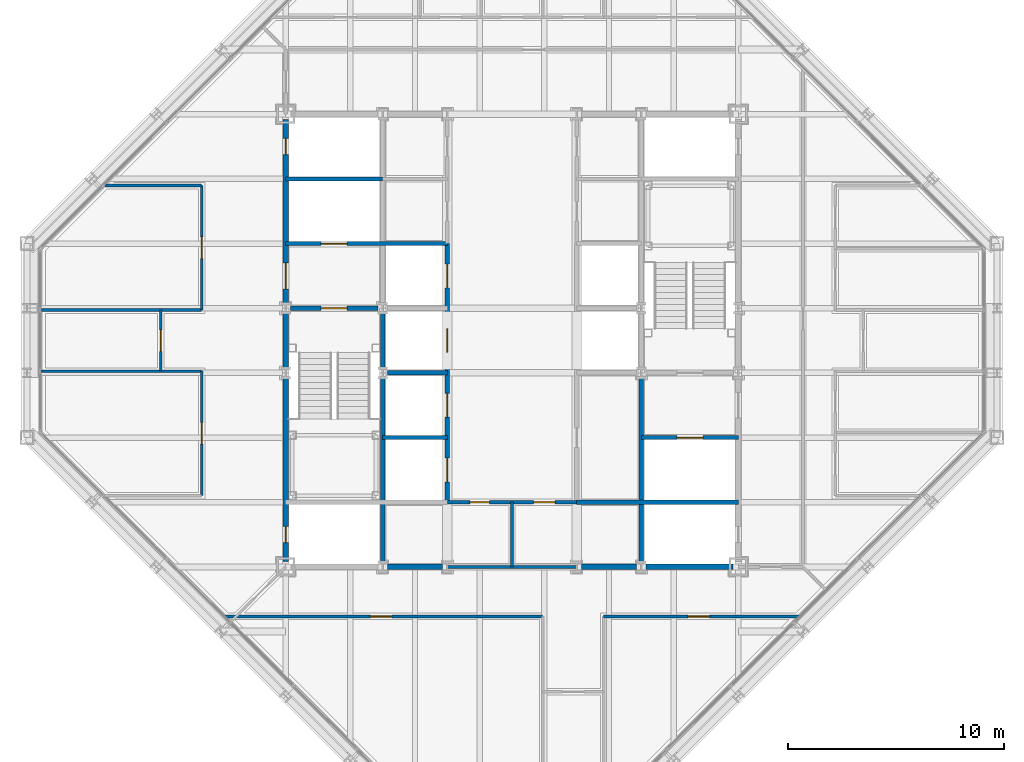
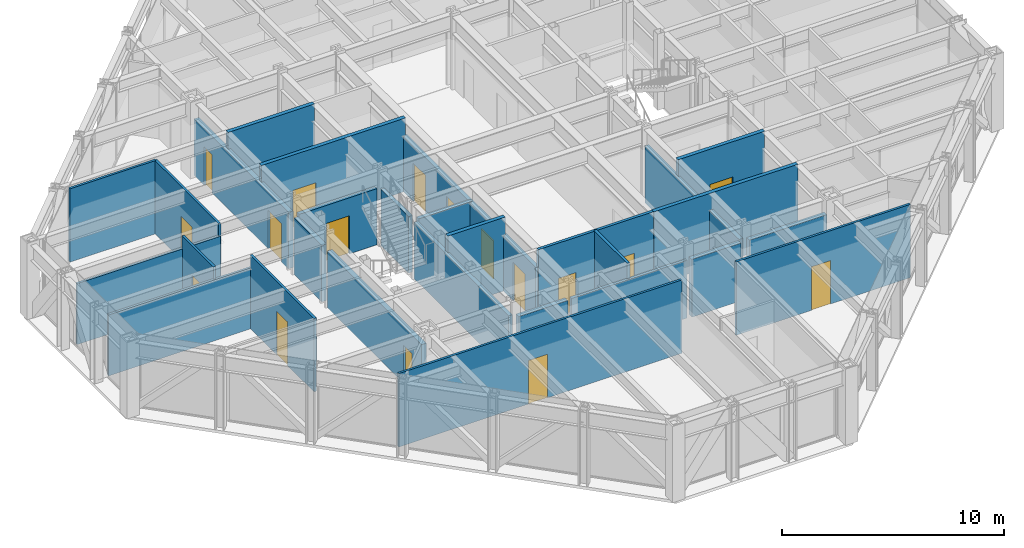
# One storey, part 10 of 15: 28 walls, 17 doors, 17 openings.
"""IFC4 building model written with IfcOpenShell, lengths in metres."""

from ifc_helpers import new_model, si_unit, direction, frame, frame_2d, origin, place, context, subcontext, project, spatial, rectangle, extrude, material, layer, layer_set, type_object, element, fill, save


model = new_model("IFC4")

# Units and contexts
model_context = context("Model", 3, precision=1e-05, world=origin(), true_north=direction((0.0, 1.0)))
body_context = subcontext(model_context, "Body", "Model", "MODEL_VIEW")
ifc_project = project(units=[si_unit("LENGTHUNIT", "METRE"), si_unit("AREAUNIT", "SQUARE_METRE"), si_unit("VOLUMEUNIT", "CUBIC_METRE"), si_unit("PLANEANGLEUNIT", "RADIAN"), si_unit("MASSUNIT", "GRAM", prefix="KILO")], contexts=[model_context])

# Site, building, storey
site_placement = place(None, origin())
site = spatial("IfcSite", under=ifc_project, at=site_placement, CompositionType="ELEMENT")
building_placement = place(site_placement, origin())
building = spatial("IfcBuilding", under=site, at=building_placement, Name="Chuquiago Exchange Tower", CompositionType="ELEMENT")
storey_placement = place(building_placement, frame((0.0, 0.0, 279.0)))
storey = spatial("IfcBuildingStorey", under=building, at=storey_placement, Name="L62", CompositionType="ELEMENT", Elevation=279.0)

# Wall, opening, door
ifc_material_1 = material(Name="Concrete masonry, fully grouted", Category="masonry")
ifc_layer_1 = layer(ifc_material_1, 0.25)
ifc_layer_set_1 = layer_set([ifc_layer_1], Name="W1 core wall 250")
wall_type_1 = type_object("IfcWallType", Name="W1 core wall 250", PredefinedType="SOLIDWALL", material=ifc_layer_set_1)
wall_1_placement = place(storey_placement, frame((12.0, 12.25, 0.0), z_axis=(0.0, 0.0, 1.0), x_axis=(0.0, 1.0, 0.0)))
wall_1 = element("IfcWall", 1, at=wall_1_placement, inside=storey, type_object=wall_type_1, Name="CW-L62-00-0", PredefinedType="SOLIDWALL", context=body_context, shape_type="SweptSolid", body=[
    extrude(rectangle(XDim=8.5, YDim=0.25, at=frame_2d((4.25, 0.0))), origin(), (0.0, 0.0, 1.0), 3.11279296875),
])
opening_1_placement = place(wall_1_placement, frame((0.875, 0.0, 0.0)))
opening_1 = element("IfcOpeningElement", 2, at=opening_1_placement, cuts=wall_1, Name="Opening L62-007", PredefinedType="OPENING", context=body_context, shape_type="SweptSolid", body=[
    extrude(rectangle(XDim=0.75, YDim=2.10009765625, at=frame_2d((0.375, 1.050048828125))), frame((0.0, 0.135009765625, 0.0), z_axis=(0.0, -1.0, 0.0), x_axis=(1.0, 0.0, 0.0)), (0.0, 0.0, 1.0), 0.27001953125),
])
ifc_material_2 = material(Name="Steel door, painted", Category="steel")
door_type_1 = type_object("IfcDoorType", Name="D6 riser access door 750x2100", OperationType="SINGLE_SWING_LEFT", PredefinedType="DOOR", material=ifc_material_2)
door_1_placement = place(opening_1_placement, origin())
door_1 = element("IfcDoor", 3, at=door_1_placement, inside=storey, type_object=door_type_1, Name="Riser RW1 door", OperationType="SINGLE_SWING_LEFT", OverallHeight=2.10009765625, OverallWidth=0.75, PredefinedType="DOOR", context=body_context, shape_type="SweptSolid", body=[
    extrude(rectangle(XDim=0.75, YDim=2.10009765625, at=frame_2d((0.375, 1.050048828125))), frame((0.0, 0.02490234375, 0.0), z_axis=(0.0, -1.0, 0.0), x_axis=(1.0, 0.0, 0.0)), (0.0, 0.0, 1.0), 0.050048828125),
])
fill(opening_1, door_1)

# Wall
wall_2_placement = place(storey_placement, frame((12.0, 21.25, 0.0), z_axis=(0.0, 0.0, 1.0), x_axis=(0.0, 1.0, 0.0)))
element("IfcWall", 4, at=wall_2_placement, inside=storey, type_object=wall_type_1, Name="CW-L62-00-1", PredefinedType="SOLIDWALL", context=body_context, shape_type="SweptSolid", body=[
    extrude(rectangle(XDim=2.5, YDim=0.25, at=frame_2d((1.25, 0.0))), origin(), (0.0, 0.0, 1.0), 3.11279296875),
])

# Wall, openings, doors
wall_3_placement = place(storey_placement, frame((12.0, 24.25, 0.0), z_axis=(0.0, 0.0, 1.0), x_axis=(0.0, 1.0, 0.0)))
wall_3 = element("IfcWall", 5, at=wall_3_placement, inside=storey, type_object=wall_type_1, Name="CW-L62-00-2", PredefinedType="SOLIDWALL", context=body_context, shape_type="SweptSolid", body=[
    extrude(rectangle(XDim=8.5, YDim=0.25, at=frame_2d((4.25, 0.0))), origin(), (0.0, 0.0, 1.0), 3.11279296875),
])
opening_2_placement = place(wall_3_placement, frame((0.64990234375, 0.0, 0.0)))
opening_2 = element("IfcOpeningElement", 6, at=opening_2_placement, cuts=wall_3, Name="Opening L62-002", PredefinedType="OPENING", context=body_context, shape_type="SweptSolid", body=[
    extrude(rectangle(XDim=1.199951171875, YDim=2.10009765625, at=frame_2d((0.60009765625, 1.050048828125))), frame((0.0, 0.135009765625, 0.0), z_axis=(0.0, -1.0, 0.0), x_axis=(1.0, 0.0, 0.0)), (0.0, 0.0, 1.0), 0.27001953125),
])
opening_3_placement = place(wall_3_placement, frame((6.875, 0.0, 0.0)))
opening_3 = element("IfcOpeningElement", 7, at=opening_3_placement, cuts=wall_3, Name="Opening L62-008", PredefinedType="OPENING", context=body_context, shape_type="SweptSolid", body=[
    extrude(rectangle(XDim=0.75, YDim=2.10009765625, at=frame_2d((0.375, 1.050048828125))), frame((0.0, 0.135009765625, 0.0), z_axis=(0.0, -1.0, 0.0), x_axis=(1.0, 0.0, 0.0)), (0.0, 0.0, 1.0), 0.27001953125),
])
ifc_material_3 = material(Name="Steel door, painted", Category="steel")
door_type_2 = type_object("IfcDoorType", Name="D5 firefighting lobby door 1200x2100", OperationType="SINGLE_SWING_LEFT", PredefinedType="DOOR", material=ifc_material_3)
door_2_placement = place(opening_2_placement, frame((1.199951171875, 0.0, 0.0), z_axis=(0.0, 0.0, 1.0), x_axis=(-1.0, 0.0, 0.0)))
door_2 = element("IfcDoor", 8, at=door_2_placement, inside=storey, type_object=door_type_2, Name="Firefighting lobby 1 door", OperationType="SINGLE_SWING_RIGHT", OverallHeight=2.10009765625, OverallWidth=1.199951171875, PredefinedType="DOOR", context=body_context, shape_type="SweptSolid", body=[
    extrude(rectangle(XDim=1.199951171875, YDim=2.10009765625, at=frame_2d((0.60009765625, 1.050048828125))), frame((0.0, 0.02490234375, 0.0), z_axis=(0.0, -1.0, 0.0), x_axis=(1.0, 0.0, 0.0)), (0.0, 0.0, 1.0), 0.050048828125),
])
fill(opening_2, door_2)
door_3_placement = place(opening_3_placement, origin())
door_3 = element("IfcDoor", 9, at=door_3_placement, inside=storey, type_object=door_type_1, Name="Riser RW2 door", OperationType="SINGLE_SWING_RIGHT", OverallHeight=2.10009765625, OverallWidth=0.75, PredefinedType="DOOR", context=body_context, shape_type="SweptSolid", body=[
    extrude(rectangle(XDim=0.75, YDim=2.10009765625, at=frame_2d((0.375, 1.050048828125))), frame((0.0, 0.02490234375, 0.0), z_axis=(0.0, -1.0, 0.0), x_axis=(1.0, 0.0, 0.0)), (0.0, 0.0, 1.0), 0.050048828125),
])
fill(opening_3, door_3)

# Walls
for number, where, z_axis, x_axis, name in (
    (10, (16.724853515625, 12.0, 0.0), (0.0, 0.0, 1.0), (1.0, 0.0, 0.0), "CW-L62-01-1"),
    (11, (25.724853515625, 12.0, 0.0), (0.0, 0.0, 1.0), (1.0, 0.0, 0.0), "CW-L62-02-0"),
):
    element("IfcWall", number, at=place(storey_placement, frame(where, z_axis=z_axis, x_axis=x_axis)), inside=storey, type_object=wall_type_1, Name=name, PredefinedType="SOLIDWALL", context=body_context, shape_type="SweptSolid", body=[
        extrude(rectangle(XDim=2.55029296875, YDim=0.25, at=frame_2d((1.275146484375, 0.0))), origin(), (0.0, 0.0, 1.0), 3.181396484375),
    ])
wall_4_placement = place(storey_placement, frame((28.724853515625, 12.0, 0.0), z_axis=(0.0, 0.0, 1.0), x_axis=(1.0, 0.0, 0.0)))
element("IfcWall", 12, at=wall_4_placement, inside=storey, type_object=wall_type_1, Name="CW-L62-02-1", PredefinedType="SOLIDWALL", context=body_context, shape_type="SweptSolid", body=[
    extrude(rectangle(XDim=4.025146484375, YDim=0.25, at=frame_2d((2.0126953125, 0.0))), origin(), (0.0, 0.0, 1.0), 3.181396484375),
])
ifc_material_4 = material(Name="Concrete masonry, fully grouted", Category="masonry")
ifc_layer_2 = layer(ifc_material_4, 0.199951171875)
ifc_layer_set_2 = layer_set([ifc_layer_2], Name="W2 shaft wall 200")
wall_type_2 = type_object("IfcWallType", Name="W2 shaft wall 200", PredefinedType="SOLIDWALL", material=ifc_layer_set_2)
wall_5_placement = place(storey_placement, frame((25.5, 15.0, 0.0), z_axis=(0.0, 0.0, 1.0), x_axis=(1.0, 0.0, 0.0)))
element("IfcWall", 13, at=wall_5_placement, inside=storey, type_object=wall_type_2, Name="CW-L62-04-0", PredefinedType="SOLIDWALL", context=body_context, shape_type="SweptSolid", body=[
    extrude(rectangle(XDim=7.5, YDim=0.199951171875, at=frame_2d((3.75, 0.0))), origin(), (0.0, 0.0, 1.0), 4.0400390625),
])

# Wall, opening, door
wall_6_placement = place(storey_placement, frame((12.224853515625, 24.0, 0.0), z_axis=(0.0, 0.0, 1.0), x_axis=(1.0, 0.0, 0.0)))
wall_6 = element("IfcWall", 14, at=wall_6_placement, inside=storey, type_object=wall_type_2, Name="CW-L62-05-0", PredefinedType="SOLIDWALL", context=body_context, shape_type="SweptSolid", body=[
    extrude(rectangle(XDim=4.05029296875, YDim=0.199951171875, at=frame_2d((2.025146484375, 0.0))), origin(), (0.0, 0.0, 1.0), 3.090087890625),
])
opening_4_placement = place(wall_6_placement, frame((1.42529296875, 0.0, 0.0)))
opening_4 = element("IfcOpeningElement", 15, at=opening_4_placement, cuts=wall_6, Name="Opening L62-001", PredefinedType="OPENING", context=body_context, shape_type="SweptSolid", body=[
    extrude(rectangle(XDim=1.199951171875, YDim=2.10009765625, at=frame_2d((0.60009765625, 1.050048828125))), frame((0.0, 0.10986328125, 0.0), z_axis=(0.0, -1.0, 0.0), x_axis=(1.0, 0.0, 0.0)), (0.0, 0.0, 1.0), 0.219970703125),
])
ifc_material_5 = material(Name="Steel door, painted", Category="steel")
door_type_3 = type_object("IfcDoorType", Name="D4 stair door 1200x2100", OperationType="SINGLE_SWING_LEFT", PredefinedType="DOOR", material=ifc_material_5)
door_4_placement = place(opening_4_placement, frame((1.199951171875, 0.0, 0.0), z_axis=(0.0, 0.0, 1.0), x_axis=(-1.0, 0.0, 0.0)))
door_4 = element("IfcDoor", 16, at=door_4_placement, inside=storey, type_object=door_type_3, Name="Stair ST1 door", OperationType="SINGLE_SWING_RIGHT", OverallHeight=2.10009765625, OverallWidth=1.199951171875, PredefinedType="DOOR", context=body_context, shape_type="SweptSolid", body=[
    extrude(rectangle(XDim=1.199951171875, YDim=2.10009765625, at=frame_2d((0.60009765625, 1.050048828125))), frame((0.0, 0.02490234375, 0.0), z_axis=(0.0, -1.0, 0.0), x_axis=(1.0, 0.0, 0.0)), (0.0, 0.0, 1.0), 0.050048828125),
])
fill(opening_4, door_4)

wall_7_placement = place(storey_placement, frame((12.0, 27.0, 0.0), z_axis=(0.0, 0.0, 1.0), x_axis=(1.0, 0.0, 0.0)))
wall_7 = element("IfcWall", 17, at=wall_7_placement, inside=storey, type_object=wall_type_2, Name="CW-L62-07-0", PredefinedType="SOLIDWALL", context=body_context, shape_type="SweptSolid", body=[
    extrude(rectangle(XDim=7.5, YDim=0.199951171875, at=frame_2d((3.75, 0.0))), origin(), (0.0, 0.0, 1.0), 4.0400390625),
])
opening_5_placement = place(wall_7_placement, frame((1.64990234375, 0.0, 0.0)))
opening_5 = element("IfcOpeningElement", 18, at=opening_5_placement, cuts=wall_7, Name="Opening L62-005", PredefinedType="OPENING", context=body_context, shape_type="SweptSolid", body=[
    extrude(rectangle(XDim=1.199951171875, YDim=2.10009765625, at=frame_2d((0.60009765625, 1.050048828125))), frame((0.0, 0.10986328125, 0.0), z_axis=(0.0, -1.0, 0.0), x_axis=(1.0, 0.0, 0.0)), (0.0, 0.0, 1.0), 0.219970703125),
])
ifc_material_6 = material(Name="Stainless steel lift landing door", Category="steel")
door_type_4 = type_object("IfcDoorType", Name="LD2 firefighting lift landing door 1200x2100", OperationType="DOUBLE_DOOR_SLIDING", PredefinedType="DOOR", material=ifc_material_6)
door_5_placement = place(opening_5_placement, origin())
door_5 = element("IfcDoor", 19, at=door_5_placement, inside=storey, type_object=door_type_4, Name="Firefighting lift FL1 landing door", OperationType="DOUBLE_DOOR_SLIDING", OverallHeight=2.10009765625, OverallWidth=1.199951171875, PredefinedType="DOOR", context=body_context, shape_type="SweptSolid", body=[
    extrude(rectangle(XDim=1.199951171875, YDim=2.10009765625, at=frame_2d((0.60009765625, 1.050048828125))), frame((0.0, 0.02490234375, 0.0), z_axis=(0.0, -1.0, 0.0), x_axis=(1.0, 0.0, 0.0)), (0.0, 0.0, 1.0), 0.050048828125),
])
fill(opening_5, door_5)

# Walls
wall_8_placement = place(storey_placement, frame((12.0, 30.0, 0.0), z_axis=(0.0, 0.0, 1.0), x_axis=(1.0, 0.0, 0.0)))
element("IfcWall", 20, at=wall_8_placement, inside=storey, type_object=wall_type_2, Name="CW-L62-09-0", PredefinedType="SOLIDWALL", context=body_context, shape_type="SweptSolid", body=[
    extrude(rectangle(XDim=4.5, YDim=0.199951171875, at=frame_2d((2.25, 0.0))), origin(), (0.0, 0.0, 1.0), 4.0400390625),
])
wall_9_placement = place(storey_placement, frame((16.5, 12.25, 0.0), z_axis=(0.0, 0.0, 1.0), x_axis=(0.0, 1.0, 0.0)))
element("IfcWall", 21, at=wall_9_placement, inside=storey, type_object=wall_type_2, Name="CW-L62-13-0", PredefinedType="SOLIDWALL", context=body_context, shape_type="SweptSolid", body=[
    extrude(rectangle(XDim=8.5, YDim=0.199951171875, at=frame_2d((4.25, 0.0))), origin(), (0.0, 0.0, 1.0), 3.11279296875),
])
wall_10_placement = place(storey_placement, frame((16.5, 21.25, 0.0), z_axis=(0.0, 0.0, 1.0), x_axis=(0.0, 1.0, 0.0)))
element("IfcWall", 22, at=wall_10_placement, inside=storey, type_object=wall_type_2, Name="CW-L62-13-1", PredefinedType="SOLIDWALL", context=body_context, shape_type="SweptSolid", body=[
    extrude(rectangle(XDim=2.5, YDim=0.199951171875, at=frame_2d((1.25, 0.0))), origin(), (0.0, 0.0, 1.0), 3.11279296875),
])
wall_11_placement = place(storey_placement, frame((16.5, 18.0, 0.0), z_axis=(0.0, 0.0, 1.0), x_axis=(1.0, 0.0, 0.0)))
element("IfcWall", 23, at=wall_11_placement, inside=storey, type_object=wall_type_2, Name="CW-L62-14-0", PredefinedType="SOLIDWALL", context=body_context, shape_type="SweptSolid", body=[
    extrude(rectangle(XDim=3.0, YDim=0.199951171875, at=frame_2d((1.5, 0.0))), origin(), (0.0, 0.0, 1.0), 4.0400390625),
])

# Wall, opening, door
wall_12_placement = place(storey_placement, frame((28.5, 18.0, 0.0), z_axis=(0.0, 0.0, 1.0), x_axis=(1.0, 0.0, 0.0)))
wall_12 = element("IfcWall", 24, at=wall_12_placement, inside=storey, type_object=wall_type_2, Name="CW-L62-15-0", PredefinedType="SOLIDWALL", context=body_context, shape_type="SweptSolid", body=[
    extrude(rectangle(XDim=4.5, YDim=0.199951171875, at=frame_2d((2.25, 0.0))), origin(), (0.0, 0.0, 1.0), 4.0400390625),
])
opening_6_placement = place(wall_12_placement, frame((1.64990234375, 0.0, 0.0)))
opening_6 = element("IfcOpeningElement", 25, at=opening_6_placement, cuts=wall_12, Name="Opening L62-006", PredefinedType="OPENING", context=body_context, shape_type="SweptSolid", body=[
    extrude(rectangle(XDim=1.199951171875, YDim=2.10009765625, at=frame_2d((0.60009765625, 1.050048828125))), frame((0.0, 0.10986328125, 0.0), z_axis=(0.0, -1.0, 0.0), x_axis=(1.0, 0.0, 0.0)), (0.0, 0.0, 1.0), 0.219970703125),
])
door_6_placement = place(opening_6_placement, origin())
door_6 = element("IfcDoor", 26, at=door_6_placement, inside=storey, type_object=door_type_4, Name="Firefighting lift FL2 landing door", OperationType="DOUBLE_DOOR_SLIDING", OverallHeight=2.10009765625, OverallWidth=1.199951171875, PredefinedType="DOOR", context=body_context, shape_type="SweptSolid", body=[
    extrude(rectangle(XDim=1.199951171875, YDim=2.10009765625, at=frame_2d((0.60009765625, 1.050048828125))), frame((0.0, 0.02490234375, 0.0), z_axis=(0.0, -1.0, 0.0), x_axis=(1.0, 0.0, 0.0)), (0.0, 0.0, 1.0), 0.050048828125),
])
fill(opening_6, door_6)

# Wall
wall_13_placement = place(storey_placement, frame((16.724853515625, 21.0, 0.0), z_axis=(0.0, 0.0, 1.0), x_axis=(1.0, 0.0, 0.0)))
element("IfcWall", 27, at=wall_13_placement, inside=storey, type_object=wall_type_2, Name="CW-L62-16-0", PredefinedType="SOLIDWALL", context=body_context, shape_type="SweptSolid", body=[
    extrude(rectangle(XDim=2.775146484375, YDim=0.199951171875, at=frame_2d((1.3876953125, 0.0))), origin(), (0.0, 0.0, 1.0), 3.090087890625),
])

# Wall, openings, doors
wall_14_placement = place(storey_placement, frame((19.5, 15.0, 0.0), z_axis=(0.0, 0.0, 1.0), x_axis=(0.0, 1.0, 0.0)))
wall_14 = element("IfcWall", 28, at=wall_14_placement, inside=storey, type_object=wall_type_2, Name="CW-L62-19-0", PredefinedType="SOLIDWALL", context=body_context, shape_type="SweptSolid", body=[
    extrude(rectangle(XDim=12.0, YDim=0.199951171875, at=frame_2d((6.0, 0.0))), origin(), (0.0, 0.0, 1.0), 3.064697265625),
])
opening_7_placement = place(wall_14_placement, frame((0.949951171875, 0.0, 0.0)))
opening_7 = element("IfcOpeningElement", 29, at=opening_7_placement, cuts=wall_14, Name="Opening L62-018", PredefinedType="OPENING", context=body_context, shape_type="SweptSolid", body=[
    extrude(rectangle(XDim=1.10009765625, YDim=2.10009765625, at=frame_2d((0.550048828125, 1.050048828125))), frame((0.0, 0.10986328125, 0.0), z_axis=(0.0, -1.0, 0.0), x_axis=(1.0, 0.0, 0.0)), (0.0, 0.0, 1.0), 0.219970703125),
])
opening_8_placement = place(wall_14_placement, frame((3.949951171875, 0.0, 0.0)))
opening_8 = element("IfcOpeningElement", 30, at=opening_8_placement, cuts=wall_14, Name="Opening L62-019", PredefinedType="OPENING", context=body_context, shape_type="SweptSolid", body=[
    extrude(rectangle(XDim=1.10009765625, YDim=2.10009765625, at=frame_2d((0.550048828125, 1.050048828125))), frame((0.0, 0.10986328125, 0.0), z_axis=(0.0, -1.0, 0.0), x_axis=(1.0, 0.0, 0.0)), (0.0, 0.0, 1.0), 0.219970703125),
])
opening_9_placement = place(wall_14_placement, frame((6.949951171875, 0.0, 0.0)))
opening_9 = element("IfcOpeningElement", 31, at=opening_9_placement, cuts=wall_14, Name="Opening L62-020", PredefinedType="OPENING", context=body_context, shape_type="SweptSolid", body=[
    extrude(rectangle(XDim=1.10009765625, YDim=2.10009765625, at=frame_2d((0.550048828125, 1.050048828125))), frame((0.0, 0.10986328125, 0.0), z_axis=(0.0, -1.0, 0.0), x_axis=(1.0, 0.0, 0.0)), (0.0, 0.0, 1.0), 0.219970703125),
])
opening_10_placement = place(wall_14_placement, frame((9.949951171875, 0.0, 0.0)))
opening_10 = element("IfcOpeningElement", 32, at=opening_10_placement, cuts=wall_14, Name="Opening L62-021", PredefinedType="OPENING", context=body_context, shape_type="SweptSolid", body=[
    extrude(rectangle(XDim=1.10009765625, YDim=2.10009765625, at=frame_2d((0.550048828125, 1.050048828125))), frame((0.0, 0.10986328125, 0.0), z_axis=(0.0, -1.0, 0.0), x_axis=(1.0, 0.0, 0.0)), (0.0, 0.0, 1.0), 0.219970703125),
])
ifc_material_7 = material(Name="Stainless steel lift landing door", Category="steel")
door_type_5 = type_object("IfcDoorType", Name="LD1 lift landing door 1100x2100", OperationType="DOUBLE_DOOR_SLIDING", PredefinedType="DOOR", material=ifc_material_7)
door_7_placement = place(opening_7_placement, origin())
door_7 = element("IfcDoor", 33, at=door_7_placement, inside=storey, type_object=door_type_5, Name="Lift LD1 landing door", OperationType="DOUBLE_DOOR_SLIDING", OverallHeight=2.10009765625, OverallWidth=1.10009765625, PredefinedType="DOOR", context=body_context, shape_type="SweptSolid", body=[
    extrude(rectangle(XDim=1.10009765625, YDim=2.10009765625, at=frame_2d((0.550048828125, 1.050048828125))), frame((0.0, 0.02490234375, 0.0), z_axis=(0.0, -1.0, 0.0), x_axis=(1.0, 0.0, 0.0)), (0.0, 0.0, 1.0), 0.050048828125),
])
fill(opening_7, door_7)
door_8_placement = place(opening_8_placement, origin())
door_8 = element("IfcDoor", 34, at=door_8_placement, inside=storey, type_object=door_type_5, Name="Lift LD2 landing door", OperationType="DOUBLE_DOOR_SLIDING", OverallHeight=2.10009765625, OverallWidth=1.10009765625, PredefinedType="DOOR", context=body_context, shape_type="SweptSolid", body=[
    extrude(rectangle(XDim=1.10009765625, YDim=2.10009765625, at=frame_2d((0.550048828125, 1.050048828125))), frame((0.0, 0.02490234375, 0.0), z_axis=(0.0, -1.0, 0.0), x_axis=(1.0, 0.0, 0.0)), (0.0, 0.0, 1.0), 0.050048828125),
])
fill(opening_8, door_8)
door_9_placement = place(opening_9_placement, origin())
door_9 = element("IfcDoor", 35, at=door_9_placement, inside=storey, type_object=door_type_5, Name="Lift LD3 landing door", OperationType="DOUBLE_DOOR_SLIDING", OverallHeight=2.10009765625, OverallWidth=1.10009765625, PredefinedType="DOOR", context=body_context, shape_type="SweptSolid", body=[
    extrude(rectangle(XDim=1.10009765625, YDim=2.10009765625, at=frame_2d((0.550048828125, 1.050048828125))), frame((0.0, 0.02490234375, 0.0), z_axis=(0.0, -1.0, 0.0), x_axis=(1.0, 0.0, 0.0)), (0.0, 0.0, 1.0), 0.050048828125),
])
fill(opening_9, door_9)
door_10_placement = place(opening_10_placement, origin())
door_10 = element("IfcDoor", 36, at=door_10_placement, inside=storey, type_object=door_type_5, Name="Lift LD4 landing door", OperationType="DOUBLE_DOOR_SLIDING", OverallHeight=2.10009765625, OverallWidth=1.10009765625, PredefinedType="DOOR", context=body_context, shape_type="SweptSolid", body=[
    extrude(rectangle(XDim=1.10009765625, YDim=2.10009765625, at=frame_2d((0.550048828125, 1.050048828125))), frame((0.0, 0.02490234375, 0.0), z_axis=(0.0, -1.0, 0.0), x_axis=(1.0, 0.0, 0.0)), (0.0, 0.0, 1.0), 0.050048828125),
])
fill(opening_10, door_10)

# Wall
wall_15_placement = place(storey_placement, frame((28.5, 12.25, 0.0), z_axis=(0.0, 0.0, 1.0), x_axis=(0.0, 1.0, 0.0)))
element("IfcWall", 37, at=wall_15_placement, inside=storey, type_object=wall_type_2, Name="CW-L62-24-0", PredefinedType="SOLIDWALL", context=body_context, shape_type="SweptSolid", body=[
    extrude(rectangle(XDim=8.5, YDim=0.199951171875, at=frame_2d((4.25, 0.0))), origin(), (0.0, 0.0, 1.0), 3.11279296875),
])

# Wall, openings, doors
ifc_material_8 = material(Name="Gypsum board on steel studs", Category="steel")
ifc_layer_3 = layer(ifc_material_8, 0.14990234375)
ifc_layer_set_3 = layer_set([ifc_layer_3], Name="W3 core partition 150")
wall_type_3 = type_object("IfcWallType", Name="W3 core partition 150", PredefinedType="PARTITIONING", material=ifc_layer_set_3)
wall_16_placement = place(storey_placement, frame((19.5, 15.0, 0.0), z_axis=(0.0, 0.0, 1.0), x_axis=(1.0, 0.0, 0.0)))
wall_16 = element("IfcWall", 38, at=wall_16_placement, inside=storey, type_object=wall_type_3, Name="CW-L62-TF", PredefinedType="PARTITIONING", context=body_context, shape_type="SweptSolid", body=[
    extrude(rectangle(XDim=6.0, YDim=0.14990234375, at=frame_2d((3.0, 0.0))), origin(), (0.0, 0.0, 1.0), 4.0400390625),
])
opening_11_placement = place(wall_16_placement, frame((4.0, 0.0, 0.0)))
opening_11 = element("IfcOpeningElement", 39, at=opening_11_placement, cuts=wall_16, Name="Opening L62-015", PredefinedType="OPENING", context=body_context, shape_type="SweptSolid", body=[
    extrude(rectangle(XDim=1.0, YDim=2.10009765625, at=frame_2d((0.5, 1.050048828125))), frame((0.0, 0.0849609375, 0.0), z_axis=(0.0, -1.0, 0.0), x_axis=(1.0, 0.0, 0.0)), (0.0, 0.0, 1.0), 0.169921875),
])
opening_12_placement = place(wall_16_placement, frame((1.050048828125, 0.0, 0.0)))
opening_12 = element("IfcOpeningElement", 40, at=opening_12_placement, cuts=wall_16, Name="Opening L62-017", PredefinedType="OPENING", context=body_context, shape_type="SweptSolid", body=[
    extrude(rectangle(XDim=0.89990234375, YDim=2.10009765625, at=frame_2d((0.449951171875, 1.050048828125))), frame((0.0, 0.0849609375, 0.0), z_axis=(0.0, -1.0, 0.0), x_axis=(1.0, 0.0, 0.0)), (0.0, 0.0, 1.0), 0.169921875),
])
ifc_material_9 = material(Name="Timber door, laminate faced", Category="wood")
door_type_6 = type_object("IfcDoorType", Name="D7 toilet door 900x2100", OperationType="SINGLE_SWING_LEFT", PredefinedType="DOOR", material=ifc_material_9)
door_11_placement = place(opening_12_placement, origin())
door_11 = element("IfcDoor", 41, at=door_11_placement, inside=storey, type_object=door_type_6, Name="Cleaner door", OperationType="SINGLE_SWING_LEFT", OverallHeight=2.10009765625, OverallWidth=0.89990234375, PredefinedType="DOOR", context=body_context, shape_type="SweptSolid", body=[
    extrude(rectangle(XDim=0.89990234375, YDim=2.10009765625, at=frame_2d((0.449951171875, 1.050048828125))), frame((0.0, 0.02490234375, 0.0), z_axis=(0.0, -1.0, 0.0), x_axis=(1.0, 0.0, 0.0)), (0.0, 0.0, 1.0), 0.050048828125),
])
fill(opening_12, door_11)
ifc_material_10 = material(Name="Timber door, laminate faced", Category="wood")
door_type_7 = type_object("IfcDoorType", Name="D8 accessible toilet door 1000x2100", OperationType="SLIDING_TO_LEFT", PredefinedType="DOOR", material=ifc_material_10)
door_12_placement = place(opening_11_placement, origin())
door_12 = element("IfcDoor", 42, at=door_12_placement, inside=storey, type_object=door_type_7, Name="Accessible WC door", OperationType="SLIDING_TO_LEFT", OverallHeight=2.10009765625, OverallWidth=1.0, PredefinedType="DOOR", context=body_context, shape_type="SweptSolid", body=[
    extrude(rectangle(XDim=1.0, YDim=2.10009765625, at=frame_2d((0.5, 1.050048828125))), frame((0.0, 0.02490234375, 0.0), z_axis=(0.0, -1.0, 0.0), x_axis=(1.0, 0.0, 0.0)), (0.0, 0.0, 1.0), 0.050048828125),
])
fill(opening_11, door_12)

# Walls
wall_17_placement = place(storey_placement, frame((22.5, 15.0, 0.0), z_axis=(0.0, 0.0, 1.0), x_axis=(0.0, -1.0, 0.0)))
element("IfcWall", 43, at=wall_17_placement, inside=storey, type_object=wall_type_3, Name="CW-L62-TM", PredefinedType="PARTITIONING", context=body_context, shape_type="SweptSolid", body=[
    extrude(rectangle(XDim=3.0, YDim=0.14990234375, at=frame_2d((1.5, 0.0))), origin(), (0.0, 0.0, 1.0), 4.0400390625),
])
wall_18_placement = place(storey_placement, frame((19.5, 12.0, 0.0), z_axis=(0.0, 0.0, 1.0), x_axis=(1.0, 0.0, 0.0)))
element("IfcWall", 44, at=wall_18_placement, inside=storey, type_object=wall_type_3, Name="CW-L62-TB", PredefinedType="PARTITIONING", context=body_context, shape_type="SweptSolid", body=[
    extrude(rectangle(XDim=6.0, YDim=0.14990234375, at=frame_2d((3.0, 0.0))), origin(), (0.0, 0.0, 1.0), 3.181396484375),
])

# Wall, opening, door
ifc_material_11 = material(Name="Gypsum board on steel studs", Category="steel")
ifc_layer_4 = layer(ifc_material_11, 0.1201171875)
ifc_layer_set_4 = layer_set([ifc_layer_4], Name="W4 partition 120")
wall_type_4 = type_object("IfcWallType", Name="W4 partition 120", PredefinedType="PARTITIONING", material=ifc_layer_set_4)
wall_19_placement = place(storey_placement, frame((9.185546875, 9.699951171875, 0.0), z_axis=(0.0, 0.0, 1.0), x_axis=(1.0, 0.0, 0.0)))
wall_19 = element("IfcWall", 45, at=wall_19_placement, inside=storey, type_object=wall_type_4, Name="PW-L62-SF00942", PredefinedType="PARTITIONING", context=body_context, shape_type="SweptSolid", body=[
    extrude(rectangle(XDim=14.731689453125, YDim=0.1201171875, at=frame_2d((7.36572265625, 0.0))), origin(), (0.0, 0.0, 1.0), 4.0400390625),
])
opening_13_placement = place(wall_19_placement, frame((6.74658203125, 0.0, 0.0)))
opening_13 = element("IfcOpeningElement", 46, at=opening_13_placement, cuts=wall_19, Name="Opening L62-022", PredefinedType="OPENING", context=body_context, shape_type="SweptSolid", body=[
    extrude(rectangle(XDim=1.0, YDim=2.39990234375, at=frame_2d((0.5, 1.199951171875))), frame((0.0, 0.070068359375, 0.0), z_axis=(0.0, -1.0, 0.0), x_axis=(1.0, 0.0, 0.0)), (0.0, 0.0, 1.0), 0.14013671875),
])
ifc_material_12 = material(Name="Timber frame door, full height glazed panel", Category="wood")
door_type_8 = type_object("IfcDoorType", Name="D14 glazed meeting room door 1000x2400", OperationType="SINGLE_SWING_LEFT", PredefinedType="DOOR", material=ifc_material_12)
door_13_placement = place(opening_13_placement, origin())
door_13 = element("IfcDoor", 47, at=door_13_placement, inside=storey, type_object=door_type_8, Name="Conference room door", OperationType="SINGLE_SWING_LEFT", OverallHeight=2.39990234375, OverallWidth=1.0, PredefinedType="DOOR", context=body_context, shape_type="SweptSolid", body=[
    extrude(rectangle(XDim=1.0, YDim=2.39990234375, at=frame_2d((0.5, 1.199951171875))), frame((0.0, 0.02490234375, 0.0), z_axis=(0.0, -1.0, 0.0), x_axis=(1.0, 0.0, 0.0)), (0.0, 0.0, 1.0), 0.050048828125),
])
fill(opening_13, door_13)

wall_20_placement = place(storey_placement, frame((26.75146484375, 9.699951171875, 0.0), z_axis=(0.0, 0.0, 1.0), x_axis=(1.0, 0.0, 0.0)))
wall_20 = element("IfcWall", 48, at=wall_20_placement, inside=storey, type_object=wall_type_4, Name="PW-L62-SF02675", PredefinedType="PARTITIONING", context=body_context, shape_type="SweptSolid", body=[
    extrude(rectangle(XDim=9.06298828125, YDim=0.1201171875, at=frame_2d((4.531494140625, 0.0))), origin(), (0.0, 0.0, 1.0), 4.0400390625),
])
opening_14_placement = place(wall_20_placement, frame((3.912109375, 0.0, 0.0)))
opening_14 = element("IfcOpeningElement", 49, at=opening_14_placement, cuts=wall_20, Name="Opening L62-024", PredefinedType="OPENING", context=body_context, shape_type="SweptSolid", body=[
    extrude(rectangle(XDim=1.0, YDim=2.39990234375, at=frame_2d((0.5, 1.199951171875))), frame((0.0, 0.070068359375, 0.0), z_axis=(0.0, -1.0, 0.0), x_axis=(1.0, 0.0, 0.0)), (0.0, 0.0, 1.0), 0.14013671875),
])
ifc_material_13 = material(Name="Timber door, laminate faced", Category="wood")
door_type_9 = type_object("IfcDoorType", Name="D9 room door 1000x2400", OperationType="SINGLE_SWING_LEFT", PredefinedType="DOOR", material=ifc_material_13)
door_14_placement = place(opening_14_placement, frame((1.0, 0.0, 0.0), z_axis=(0.0, 0.0, 1.0), x_axis=(-1.0, 0.0, 0.0)))
door_14 = element("IfcDoor", 50, at=door_14_placement, inside=storey, type_object=door_type_9, Name="Office door", OperationType="SINGLE_SWING_RIGHT", OverallHeight=2.39990234375, OverallWidth=1.0, PredefinedType="DOOR", context=body_context, shape_type="SweptSolid", body=[
    extrude(rectangle(XDim=1.0, YDim=2.39990234375, at=frame_2d((0.5, 1.199951171875))), frame((0.0, 0.02490234375, 0.0), z_axis=(0.0, -1.0, 0.0), x_axis=(1.0, 0.0, 0.0)), (0.0, 0.0, 1.0), 0.050048828125),
])
fill(opening_14, door_14)

# Walls
for number, where, z_axis, x_axis, name in (
    (51, (0.652587890625, 21.082763671875, 0.0), (0.0, 0.0, 1.0), (1.0, 0.0, 0.0), "PW-L62-W02108"),
    (52, (0.652587890625, 23.917236328125, 0.0), (0.0, 0.0, 1.0), (1.0, 0.0, 0.0), "PW-L62-W02392"),
):
    element("IfcWall", number, at=place(storey_placement, frame(where, z_axis=z_axis, x_axis=x_axis)), inside=storey, type_object=wall_type_4, Name=name, PredefinedType="PARTITIONING", context=body_context, shape_type="SweptSolid", body=[
        extrude(rectangle(XDim=7.447509765625, YDim=0.1201171875, at=frame_2d((3.7236328125, 0.0))), origin(), (0.0, 0.0, 1.0), 3.356689453125),
    ])
wall_21_placement = place(storey_placement, frame((3.607421875, 29.69287109375, 0.0), z_axis=(0.0, 0.0, 1.0), x_axis=(1.0, 0.0, 0.0)))
element("IfcWall", 53, at=wall_21_placement, inside=storey, type_object=wall_type_4, Name="PW-L62-W02969", PredefinedType="PARTITIONING", context=body_context, shape_type="SweptSolid", body=[
    extrude(rectangle(XDim=4.49267578125, YDim=0.1201171875, at=frame_2d((2.246337890625, 0.0))), origin(), (0.0, 0.0, 1.0), 4.0400390625),
])

# Wall, opening, door
wall_22_placement = place(storey_placement, frame((8.10009765625, 15.30712890625, 0.0), z_axis=(0.0, 0.0, 1.0), x_axis=(0.0, 1.0, 0.0)))
wall_22 = element("IfcWall", 54, at=wall_22_placement, inside=storey, type_object=wall_type_4, Name="PW-L62-WF01531", PredefinedType="PARTITIONING", context=body_context, shape_type="SweptSolid", body=[
    extrude(rectangle(XDim=5.775634765625, YDim=0.1201171875, at=frame_2d((2.8876953125, 0.0))), origin(), (0.0, 0.0, 1.0), 4.0400390625),
])
opening_15_placement = place(wall_22_placement, frame((2.3876953125, 0.0, 0.0)))
opening_15 = element("IfcOpeningElement", 55, at=opening_15_placement, cuts=wall_22, Name="Opening L62-035", PredefinedType="OPENING", context=body_context, shape_type="SweptSolid", body=[
    extrude(rectangle(XDim=1.0, YDim=2.39990234375, at=frame_2d((0.5, 1.199951171875))), frame((0.0, 0.070068359375, 0.0), z_axis=(0.0, -1.0, 0.0), x_axis=(1.0, 0.0, 0.0)), (0.0, 0.0, 1.0), 0.14013671875),
])
door_15_placement = place(opening_15_placement, origin())
door_15 = element("IfcDoor", 56, at=door_15_placement, inside=storey, type_object=door_type_9, Name="Executive office door", OperationType="SINGLE_SWING_LEFT", OverallHeight=2.39990234375, OverallWidth=1.0, PredefinedType="DOOR", context=body_context, shape_type="SweptSolid", body=[
    extrude(rectangle(XDim=1.0, YDim=2.39990234375, at=frame_2d((0.5, 1.199951171875))), frame((0.0, 0.02490234375, 0.0), z_axis=(0.0, -1.0, 0.0), x_axis=(1.0, 0.0, 0.0)), (0.0, 0.0, 1.0), 0.050048828125),
])
fill(opening_15, door_15)

wall_23_placement = place(storey_placement, frame((6.199951171875, 21.082763671875, 0.0), z_axis=(0.0, 0.0, 1.0), x_axis=(0.0, 1.0, 0.0)))
wall_23 = element("IfcWall", 57, at=wall_23_placement, inside=storey, type_object=wall_type_4, Name="PW-L62-WF02108", PredefinedType="PARTITIONING", context=body_context, shape_type="SweptSolid", body=[
    extrude(rectangle(XDim=2.83447265625, YDim=0.1201171875, at=frame_2d((1.417236328125, 0.0))), origin(), (0.0, 0.0, 1.0), 4.0400390625),
])
opening_16_placement = place(wall_23_placement, frame((0.917236328125, 0.0, 0.0)))
opening_16 = element("IfcOpeningElement", 58, at=opening_16_placement, cuts=wall_23, Name="Opening L62-036", PredefinedType="OPENING", context=body_context, shape_type="SweptSolid", body=[
    extrude(rectangle(XDim=1.0, YDim=2.39990234375, at=frame_2d((0.5, 1.199951171875))), frame((0.0, 0.070068359375, 0.0), z_axis=(0.0, -1.0, 0.0), x_axis=(1.0, 0.0, 0.0)), (0.0, 0.0, 1.0), 0.14013671875),
])
door_16_placement = place(opening_16_placement, origin())
door_16 = element("IfcDoor", 59, at=door_16_placement, inside=storey, type_object=door_type_8, Name="Wellness room door", OperationType="SINGLE_SWING_LEFT", OverallHeight=2.39990234375, OverallWidth=1.0, PredefinedType="DOOR", context=body_context, shape_type="SweptSolid", body=[
    extrude(rectangle(XDim=1.0, YDim=2.39990234375, at=frame_2d((0.5, 1.199951171875))), frame((0.0, 0.02490234375, 0.0), z_axis=(0.0, -1.0, 0.0), x_axis=(1.0, 0.0, 0.0)), (0.0, 0.0, 1.0), 0.050048828125),
])
fill(opening_16, door_16)

wall_24_placement = place(storey_placement, frame((8.10009765625, 23.917236328125, 0.0), z_axis=(0.0, 0.0, 1.0), x_axis=(0.0, 1.0, 0.0)))
wall_24 = element("IfcWall", 60, at=wall_24_placement, inside=storey, type_object=wall_type_4, Name="PW-L62-WF02392", PredefinedType="PARTITIONING", context=body_context, shape_type="SweptSolid", body=[
    extrude(rectangle(XDim=5.775634765625, YDim=0.1201171875, at=frame_2d((2.8876953125, 0.0))), origin(), (0.0, 0.0, 1.0), 4.0400390625),
])
opening_17_placement = place(wall_24_placement, frame((2.387939453125, 0.0, 0.0)))
opening_17 = element("IfcOpeningElement", 61, at=opening_17_placement, cuts=wall_24, Name="Opening L62-037", PredefinedType="OPENING", context=body_context, shape_type="SweptSolid", body=[
    extrude(rectangle(XDim=1.0, YDim=2.39990234375, at=frame_2d((0.5, 1.199951171875))), frame((0.0, 0.070068359375, 0.0), z_axis=(0.0, -1.0, 0.0), x_axis=(1.0, 0.0, 0.0)), (0.0, 0.0, 1.0), 0.14013671875),
])
door_17_placement = place(opening_17_placement, origin())
door_17 = element("IfcDoor", 62, at=door_17_placement, inside=storey, type_object=door_type_9, Name="Executive office door", OperationType="SINGLE_SWING_RIGHT", OverallHeight=2.39990234375, OverallWidth=1.0, PredefinedType="DOOR", context=body_context, shape_type="SweptSolid", body=[
    extrude(rectangle(XDim=1.0, YDim=2.39990234375, at=frame_2d((0.5, 1.199951171875))), frame((0.0, 0.02490234375, 0.0), z_axis=(0.0, -1.0, 0.0), x_axis=(1.0, 0.0, 0.0)), (0.0, 0.0, 1.0), 0.050048828125),
])
fill(opening_17, door_17)

save(model, "model.ifc")
